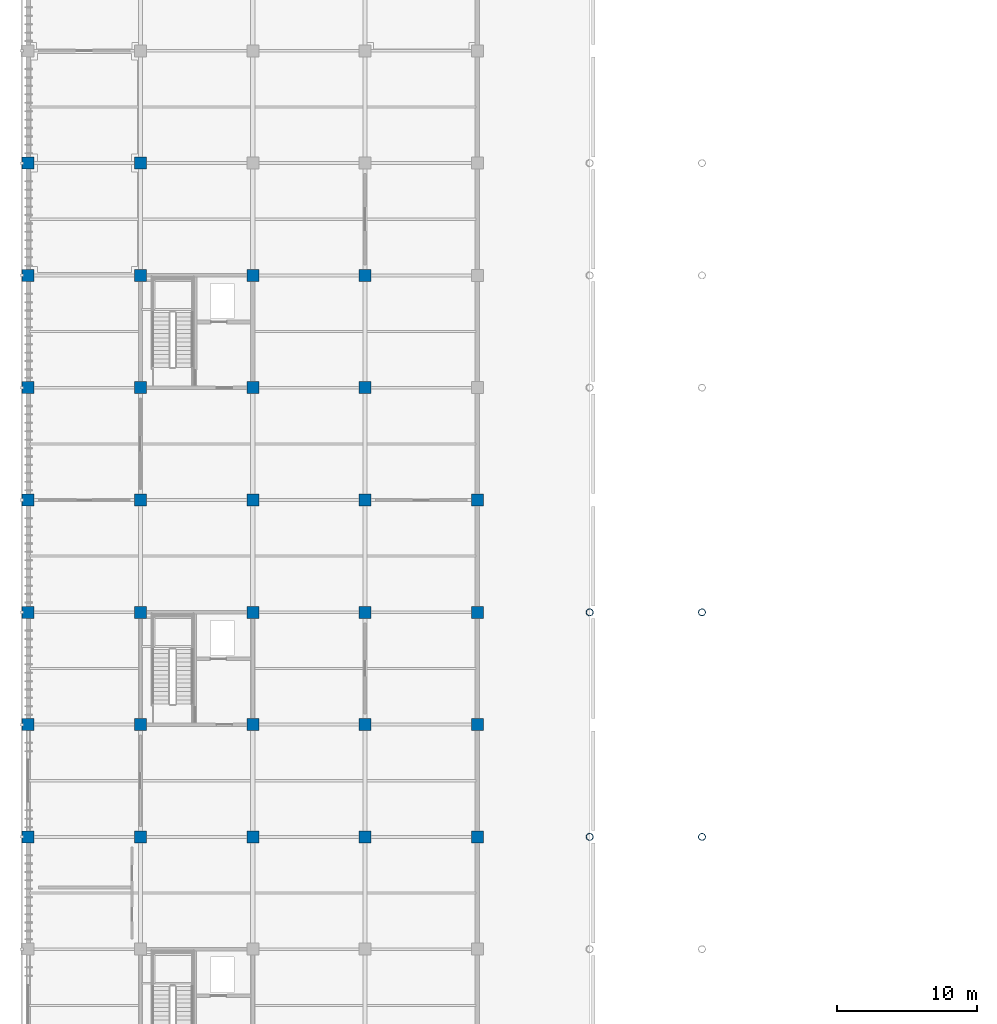
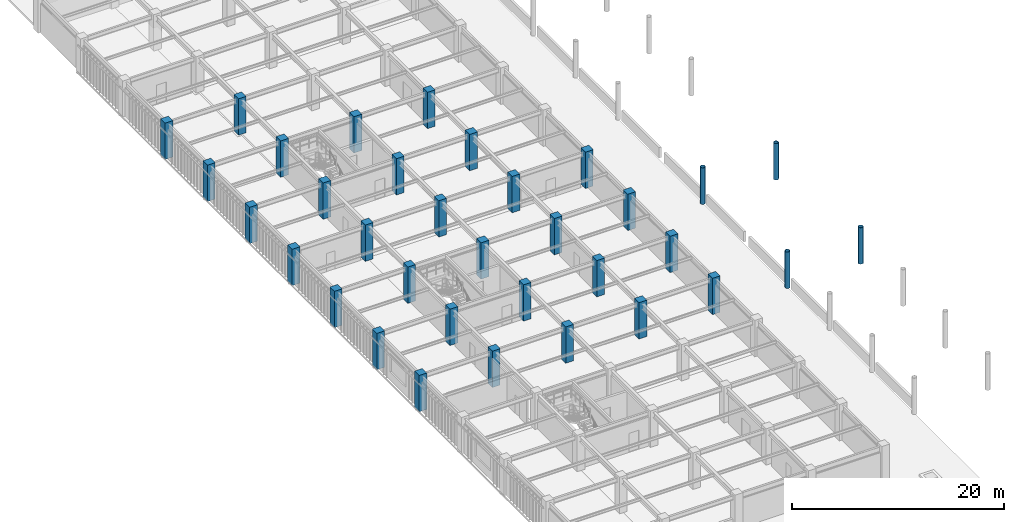
# One storey, part 5 of 78: 34 columns.
"""IFC4 building model written with IfcOpenShell, lengths in metres."""

from ifc_helpers import new_model, si_unit, direction, frame, origin, origin_2d, place, context, subcontext, project, spatial, rectangle, hollow_circle, extrude, material, material_profile, profile_set, type_object, element, save


model = new_model("IFC4")

# Units and contexts
model_context = context("Model", 3, precision=1e-05, world=origin(), true_north=direction((0.0, 1.0)))
body_context = subcontext(model_context, "Body", "Model", "MODEL_VIEW")
ifc_project = project(units=[si_unit("LENGTHUNIT", "METRE"), si_unit("AREAUNIT", "SQUARE_METRE"), si_unit("VOLUMEUNIT", "CUBIC_METRE"), si_unit("PLANEANGLEUNIT", "RADIAN"), si_unit("MASSUNIT", "GRAM", prefix="KILO")], contexts=[model_context])

# Site, building, storey
site_placement = place(None, origin())
site = spatial("IfcSite", under=ifc_project, at=site_placement, CompositionType="ELEMENT")
building_placement = place(site_placement, origin())
building = spatial("IfcBuilding", under=site, at=building_placement, Name="Haebicheon Civic Stadium", CompositionType="ELEMENT")
storey_placement = place(building_placement, frame((0.0, 0.0, 18.60009765625)))
storey = spatial("IfcBuildingStorey", under=building, at=storey_placement, Name="L05", CompositionType="ELEMENT", Elevation=18.60009765625)

# Columns
ifc_material_1 = material(Name="Concrete C40/50", Category="concrete")
ifc_material_profile_1 = material_profile(ifc_material_1, rectangle(XDim=0.85009765625, YDim=0.85009765625, at=origin_2d()), Name="RC-COL-850x850")
ifc_profile_set_1 = profile_set([ifc_material_profile_1], Name="Concrete C40/50")
column_type_1 = type_object("IfcColumnType", Name="COL-RC-850", PredefinedType="COLUMN", material=ifc_profile_set_1)
for number, where, z_axis, x_axis, name in (
    (1, (24.0, 72.0, 0.0), (0.0, 0.0, 1.0), (1.0, 0.0, 0.0), "L05 column 4/K"),
    (2, (24.0, 80.0, 0.0), (0.0, 0.0, 1.0), (1.0, 0.0, 0.0), "L05 column 4/L"),
    (3, (24.0, 88.0, 0.0), (0.0, 0.0, 1.0), (1.0, 0.0, 0.0), "L05 column 4/M"),
    (4, (24.0, 96.0, 0.0), (0.0, 0.0, 1.0), (1.0, 0.0, 0.0), "L05 column 4/N"),
    (5, (24.0, 104.0, 0.0), (0.0, 0.0, 1.0), (1.0, 0.0, 0.0), "L05 column 4/P"),
    (6, (24.0, 112.0, 0.0), (0.0, 0.0, 1.0), (1.0, 0.0, 0.0), "L05 column 4/Q"),
    (7, (24.0, 120.0, 0.0), (0.0, 0.0, 1.0), (1.0, 0.0, 0.0), "L05 column 4/R"),
    (8, (32.0, 72.0, 0.0), (0.0, 0.0, 1.0), (1.0, 0.0, 0.0), "L05 column 5/K"),
    (9, (32.0, 80.0, 0.0), (0.0, 0.0, 1.0), (1.0, 0.0, 0.0), "L05 column 5/L"),
    (10, (32.0, 88.0, 0.0), (0.0, 0.0, 1.0), (1.0, 0.0, 0.0), "L05 column 5/M"),
    (11, (32.0, 96.0, 0.0), (0.0, 0.0, 1.0), (1.0, 0.0, 0.0), "L05 column 5/N"),
    (12, (32.0, 104.0, 0.0), (0.0, 0.0, 1.0), (1.0, 0.0, 0.0), "L05 column 5/P"),
    (13, (32.0, 112.0, 0.0), (0.0, 0.0, 1.0), (1.0, 0.0, 0.0), "L05 column 5/Q"),
    (14, (32.0, 120.0, 0.0), (0.0, 0.0, 1.0), (1.0, 0.0, 0.0), "L05 column 5/R"),
    (15, (40.0, 72.0, 0.0), (0.0, 0.0, 1.0), (1.0, 0.0, 0.0), "L05 column 6/K"),
    (16, (40.0, 80.0, 0.0), (0.0, 0.0, 1.0), (1.0, 0.0, 0.0), "L05 column 6/L"),
    (17, (40.0, 88.0, 0.0), (0.0, 0.0, 1.0), (1.0, 0.0, 0.0), "L05 column 6/M"),
    (18, (40.0, 96.0, 0.0), (0.0, 0.0, 1.0), (1.0, 0.0, 0.0), "L05 column 6/N"),
    (19, (40.0, 104.0, 0.0), (0.0, 0.0, 1.0), (1.0, 0.0, 0.0), "L05 column 6/P"),
    (20, (40.0, 112.0, 0.0), (0.0, 0.0, 1.0), (1.0, 0.0, 0.0), "L05 column 6/Q"),
    (21, (48.0, 72.0, 0.0), (0.0, 0.0, 1.0), (1.0, 0.0, 0.0), "L05 column 7/K"),
    (22, (48.0, 80.0, 0.0), (0.0, 0.0, 1.0), (1.0, 0.0, 0.0), "L05 column 7/L"),
    (23, (48.0, 88.0, 0.0), (0.0, 0.0, 1.0), (1.0, 0.0, 0.0), "L05 column 7/M"),
    (24, (48.0, 96.0, 0.0), (0.0, 0.0, 1.0), (1.0, 0.0, 0.0), "L05 column 7/N"),
    (25, (48.0, 104.0, 0.0), (0.0, 0.0, 1.0), (1.0, 0.0, 0.0), "L05 column 7/P"),
    (26, (48.0, 112.0, 0.0), (0.0, 0.0, 1.0), (1.0, 0.0, 0.0), "L05 column 7/Q"),
    (27, (56.0, 72.0, 0.0), (0.0, 0.0, 1.0), (1.0, 0.0, 0.0), "L05 column 8/K"),
    (28, (56.0, 80.0, 0.0), (0.0, 0.0, 1.0), (1.0, 0.0, 0.0), "L05 column 8/L"),
    (29, (56.0, 88.0, 0.0), (0.0, 0.0, 1.0), (1.0, 0.0, 0.0), "L05 column 8/M"),
    (30, (56.0, 96.0, 0.0), (0.0, 0.0, 1.0), (1.0, 0.0, 0.0), "L05 column 8/N"),
):
    element("IfcColumn", number, at=place(storey_placement, frame(where, z_axis=z_axis, x_axis=x_axis)), inside=storey, type_object=column_type_1, material=ifc_profile_set_1, Name=name, PredefinedType="COLUMN", context=body_context, shape_type="SweptSolid", body=[
        extrude(rectangle(XDim=0.85009765625, YDim=0.85009765625, at=origin_2d()), origin(), (0.0, 0.0, 1.0), 4.199951171875),
    ])
ifc_material_2 = material(Name="White painted steel SM490", Category="steel")
ifc_material_profile_2 = material_profile(ifc_material_2, hollow_circle(Radius=0.25390625, WallThickness=0.02490234375, at=origin_2d()), Name="CHS-508.0x25.0")
ifc_profile_set_2 = profile_set([ifc_material_profile_2], Name="White painted steel SM490")
column_type_2 = type_object("IfcColumnType", Name="COL-ST-CHS508", PredefinedType="COLUMN", material=ifc_profile_set_2)
for number, where, z_axis, x_axis, name in (
    (31, (64.0, 72.0, 0.0), (0.0, 0.0, 1.0), (1.0, 0.0, 0.0), "Bowl/canopy support column 64/72 (L05)"),
    (32, (72.0, 72.0, 0.0), (0.0, 0.0, 1.0), (1.0, 0.0, 0.0), "Bowl/canopy support column 72/72 (L05)"),
    (33, (64.0, 88.0, 0.0), (0.0, 0.0, 1.0), (1.0, 0.0, 0.0), "Bowl/canopy support column 64/88 (L05)"),
    (34, (72.0, 88.0, 0.0), (0.0, 0.0, 1.0), (1.0, 0.0, 0.0), "Bowl/canopy support column 72/88 (L05)"),
):
    element("IfcColumn", number, at=place(storey_placement, frame(where, z_axis=z_axis, x_axis=x_axis)), inside=storey, type_object=column_type_2, material=ifc_profile_set_2, Name=name, PredefinedType="COLUMN", context=body_context, shape_type="SweptSolid", body=[
        extrude(hollow_circle(Radius=0.25390625, WallThickness=0.02490234375, at=origin_2d()), origin(), (0.0, 0.0, 1.0), 4.199951171875),
    ])

save(model, "model.ifc")
